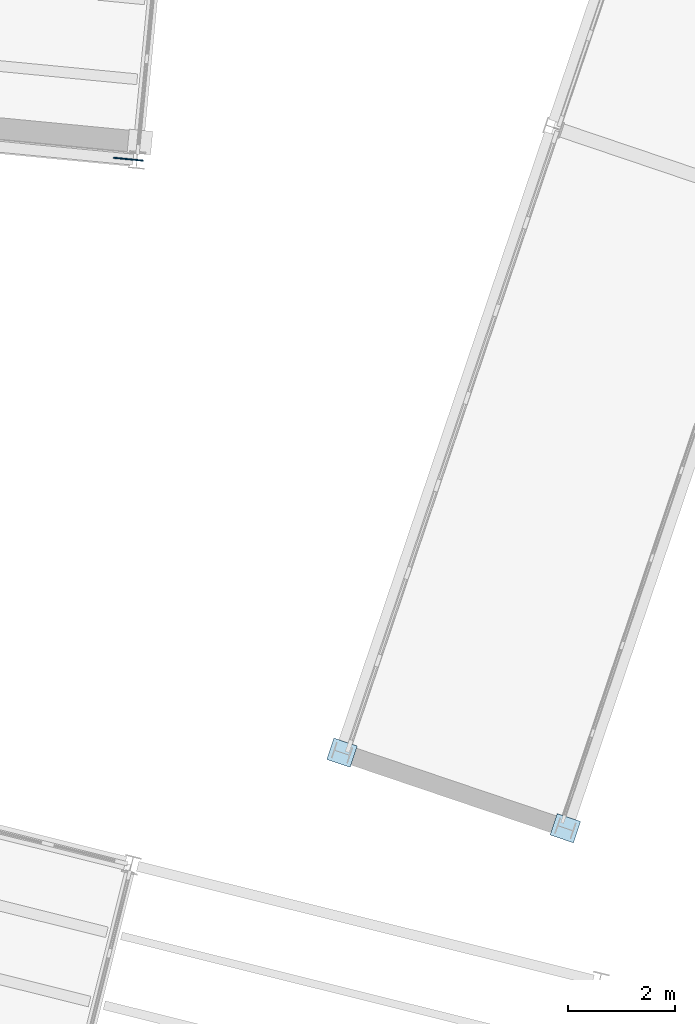
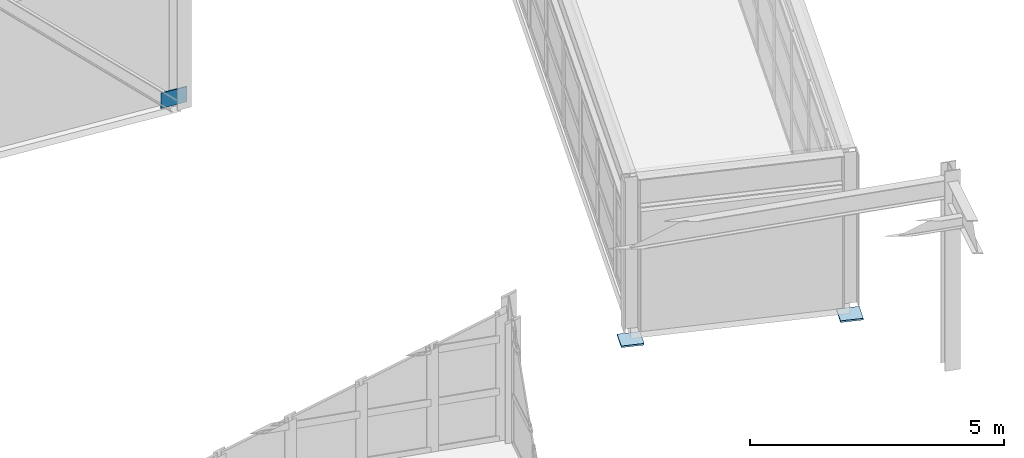
# One storey, part 79 of 102: 3 plates.
"""IFC4 building model written with IfcOpenShell, lengths in metres."""

from ifc_helpers import new_model, si_unit, direction, frame, origin, origin_2d, place, context, subcontext, project, spatial, rectangle, extrude, material, layer, layer_set, type_object, element, save


model = new_model("IFC4")

# Units and contexts
model_context = context("Model", 3, precision=1e-05, world=origin(), true_north=direction((0.0, 1.0)))
body_context = subcontext(model_context, "Body", "Model", "MODEL_VIEW")
ifc_project = project(units=[si_unit("LENGTHUNIT", "METRE"), si_unit("AREAUNIT", "SQUARE_METRE"), si_unit("VOLUMEUNIT", "CUBIC_METRE"), si_unit("PLANEANGLEUNIT", "RADIAN"), si_unit("MASSUNIT", "GRAM", prefix="KILO")], contexts=[model_context])

# Site, building, storey
site_placement = place(None, origin())
site = spatial("IfcSite", under=ifc_project, at=site_placement, CompositionType="ELEMENT")
building_placement = place(site_placement, origin())
building = spatial("IfcBuilding", under=site, at=building_placement, Name="Vireo Bluff Cable Station", CompositionType="ELEMENT")
storey_placement = place(building_placement, frame((0.0, 0.0, 9.60009765625)))
storey = spatial("IfcBuildingStorey", under=building, at=storey_placement, Name="L02", CompositionType="ELEMENT", Elevation=9.60009765625)

# Plates
ifc_material = material(Name="Steel ASTM A572 Gr. 50", Category="steel")
ifc_layer_1 = layer(ifc_material, 0.02294921875, Name="Steel ASTM A572 Gr. 50")
ifc_layer_set_1 = layer_set([ifc_layer_1], Name="Steel ASTM A572 Gr. 50")
plate_type_1 = type_object("IfcPlateType", Name="GUSSET-560X370X23", PredefinedType="USERDEFINED", material=ifc_layer_set_1)
plate_placement = place(storey_placement, frame((103.4130859375, 63.56884765625, 0.034912109375), z_axis=(0.0, 0.0, 1.0), x_axis=(0.995396198367, -0.09584575252, 0.0)))
element("IfcPlate", 1, at=plate_placement, inside=storey, type_object=plate_type_1, Name="V3 L02 brace base gusset plate 153", ObjectType="GUSSET PLATE", PredefinedType="USERDEFINED", context=body_context, shape_type="SweptSolid", body=[
    extrude(rectangle(XDim=0.56005859375, YDim=0.02294921875, at=origin_2d()), origin(), (0.0, 0.0, 1.0), 0.3701171875),
])
ifc_layer_2 = layer(ifc_material, 0.0400390625, Name="Steel ASTM A572 Gr. 50")
ifc_layer_set_2 = layer_set([ifc_layer_2], Name="Steel ASTM A572 Gr. 50")
plate_type_2 = type_object("IfcPlateType", Name="SKYBR-SEAT-420X460X40", PredefinedType="SHEET", material=ifc_layer_set_2)
for number, where, z_axis, x_axis, name in (
    (2, (111.5673828125, 51.08203125, -0.300048828125), (0.0, 0.0, 1.0), (0.32035190998, 0.947298608556, 0.0), "HAUL-DRIVE skybridge 380mm sliding bearing seat AL"),
    (3, (107.3994140625, 52.49169921875, -0.300048828125), (0.0, 0.0, 1.0), (0.32035190998, 0.947298608556, 0.0), "HAUL-DRIVE skybridge 380mm sliding bearing seat AR"),
):
    element("IfcPlate", number, at=place(storey_placement, frame(where, z_axis=z_axis, x_axis=x_axis)), inside=storey, type_object=plate_type_2, Name=name, PredefinedType="SHEET", context=body_context, shape_type="SweptSolid", body=[
        extrude(rectangle(XDim=0.419921875, YDim=0.4599609375, at=origin_2d()), origin(), (0.0, 0.0, 1.0), 0.0400390625),
    ])

save(model, "model.ifc")
